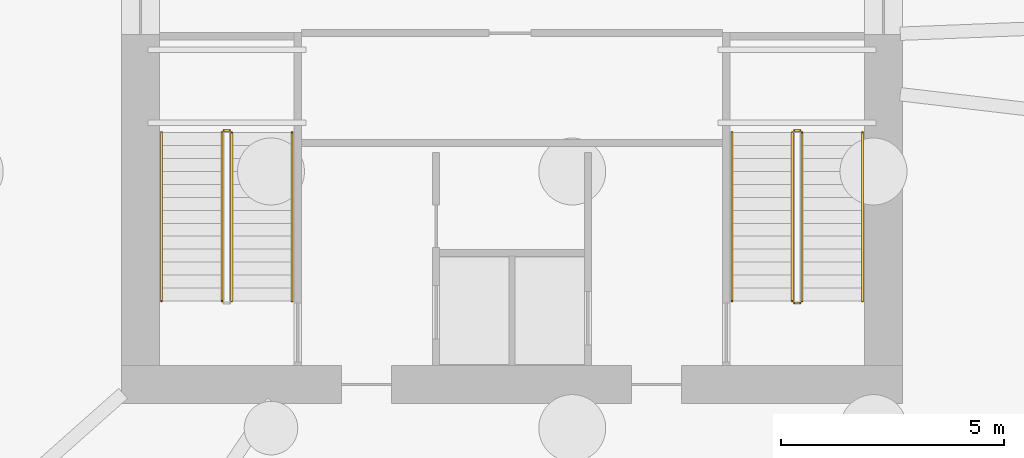
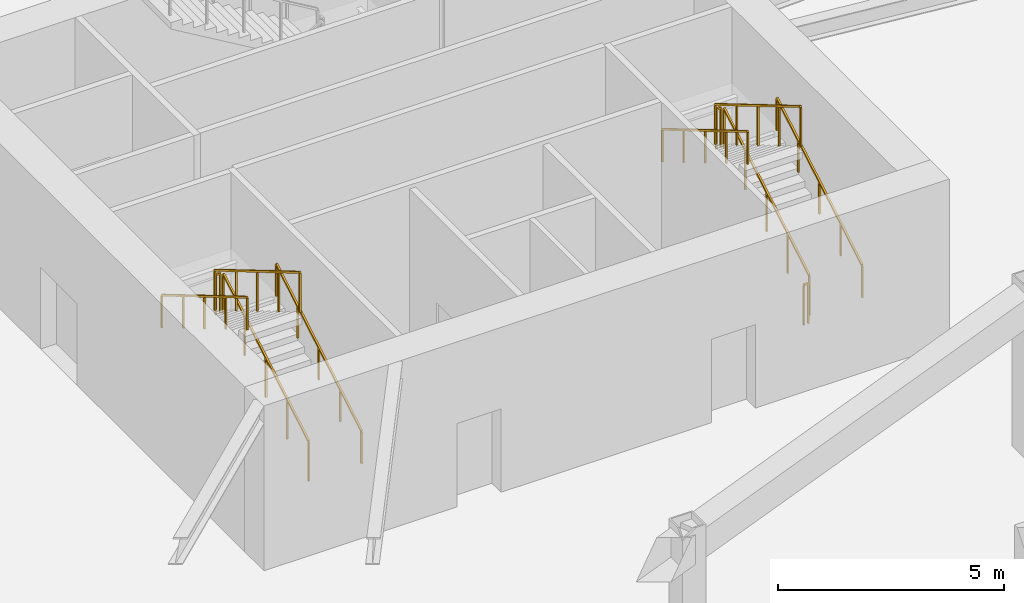
# One storey, part 7 of 9: 11 railings.
"""IFC4 building model written with IfcOpenShell, lengths in metres."""

from ifc_helpers import new_model, si_unit, direction, frame, origin, origin_2d, place, context, subcontext, project, spatial, rectangle, extrude, material, type_object, element, save


model = new_model("IFC4")

# Units and contexts
model_context = context("Model", 3, precision=1e-05, world=origin(), true_north=direction((0.0, 1.0)))
body_context = subcontext(model_context, "Body", "Model", "MODEL_VIEW")
ifc_project = project(units=[si_unit("LENGTHUNIT", "METRE"), si_unit("AREAUNIT", "SQUARE_METRE"), si_unit("VOLUMEUNIT", "CUBIC_METRE"), si_unit("PLANEANGLEUNIT", "RADIAN"), si_unit("MASSUNIT", "GRAM", prefix="KILO")], contexts=[model_context])

# Site, building, storey
site_placement = place(None, origin())
site = spatial("IfcSite", under=ifc_project, at=site_placement, CompositionType="ELEMENT")
building_placement = place(site_placement, origin())
building = spatial("IfcBuilding", under=site, at=building_placement, Name="Olszyna Solenne Hotel", CompositionType="ELEMENT")
storey_placement = place(building_placement, frame((0.0, 0.0, -9.60009765625)))
storey = spatial("IfcBuildingStorey", under=building, at=storey_placement, Name="B02", CompositionType="ELEMENT", Elevation=-9.60009765625)

# Railings
ifc_material_1 = material(Name="Anodised bronze aluminium", Category="aluminium")
railing_type_1 = type_object("IfcRailingType", Name="GR-110", PredefinedType="BALUSTRADE", material=ifc_material_1)
railing_1_placement = place(storey_placement, frame((31.719970703125, 20.949951171875, 0.171630859375)))
element("IfcRailing", 1, at=railing_1_placement, inside=storey, type_object=railing_type_1, Name="B02 ST1 stair guard 1", PredefinedType="BALUSTRADE", context=body_context, shape_type="SweptSolid", body=[
    extrude(rectangle(XDim=0.048095703125, YDim=0.048095703125, at=origin_2d()), frame((0.0, 0.0, 1.076171875), z_axis=(0.0, 0.860848830602, 0.508860777473), x_axis=(-1.0, 0.0, 0.0)), (0.0, 0.0, 1.0), 4.37939453125),
    extrude(rectangle(XDim=0.0419921875, YDim=0.0419921875, at=origin_2d()), origin(), (0.0, 0.0, 1.0), 1.052001953125),
    extrude(rectangle(XDim=0.0419921875, YDim=0.0419921875, at=origin_2d()), frame((0.0, 0.9423828125, 0.55712890625)), (0.0, 0.0, 1.0), 1.052001953125),
    extrude(rectangle(XDim=0.0419921875, YDim=0.0419921875, at=origin_2d()), frame((0.0, 1.885009765625, 1.1142578125)), (0.0, 0.0, 1.0), 1.052001953125),
    extrude(rectangle(XDim=0.0419921875, YDim=0.0419921875, at=origin_2d()), frame((0.0, 2.82763671875, 1.67138671875)), (0.0, 0.0, 1.0), 1.052001953125),
    extrude(rectangle(XDim=0.0419921875, YDim=0.0419921875, at=origin_2d()), frame((0.0, 3.77001953125, 2.228515625)), (0.0, 0.0, 1.0), 1.052001953125),
])
railing_2_placement = place(storey_placement, frame((31.669921875, 24.77001953125, 2.400146484375)))
element("IfcRailing", 2, at=railing_2_placement, inside=storey, type_object=railing_type_1, Name="B02 ST1 stair guard 2", PredefinedType="BALUSTRADE", context=body_context, shape_type="SweptSolid", body=[
    extrude(rectangle(XDim=0.048095703125, YDim=0.048095703125, at=origin_2d()), frame((0.0, 0.0, 1.076171875), z_axis=(-1.0, 0.0, 0.0), x_axis=(0.0, -1.0, 0.0)), (0.0, 0.0, 1.0), 0.119873046875),
    extrude(rectangle(XDim=0.0419921875, YDim=0.0419921875, at=origin_2d()), origin(), (0.0, 0.0, 1.0), 1.052001953125),
    extrude(rectangle(XDim=0.0419921875, YDim=0.0419921875, at=origin_2d()), frame((-0.119873046875, 0.0, 0.0)), (0.0, 0.0, 1.0), 1.052001953125),
])
railing_3_placement = place(storey_placement, frame((31.5, 24.719970703125, 2.571533203125)))
element("IfcRailing", 3, at=railing_3_placement, inside=storey, type_object=railing_type_1, Name="B02 ST1 stair guard 3", PredefinedType="BALUSTRADE", context=body_context, shape_type="SweptSolid", body=[
    extrude(rectangle(XDim=0.048095703125, YDim=0.048095703125, at=origin_2d()), frame((0.0, 0.0, 1.076171875), z_axis=(0.0, -0.860848830602, 0.508860777473), x_axis=(1.0, 0.0, 0.0)), (0.0, 0.0, 1.0), 4.37939453125),
    extrude(rectangle(XDim=0.0419921875, YDim=0.0419921875, at=origin_2d()), origin(), (0.0, 0.0, 1.0), 1.052001953125),
    extrude(rectangle(XDim=0.0419921875, YDim=0.0419921875, at=origin_2d()), frame((0.0, -0.9423828125, 0.55712890625)), (0.0, 0.0, 1.0), 1.052001953125),
    extrude(rectangle(XDim=0.0419921875, YDim=0.0419921875, at=origin_2d()), frame((0.0, -1.885009765625, 1.1142578125)), (0.0, 0.0, 1.0), 1.052001953125),
    extrude(rectangle(XDim=0.0419921875, YDim=0.0419921875, at=origin_2d()), frame((0.0, -2.82763671875, 1.67138671875)), (0.0, 0.0, 1.0), 1.052001953125),
    extrude(rectangle(XDim=0.0419921875, YDim=0.0419921875, at=origin_2d()), frame((0.0, -3.77001953125, 2.228515625)), (0.0, 0.0, 1.0), 1.052001953125),
])
railing_4_placement = place(storey_placement, frame((44.5, 20.949951171875, 0.171630859375)))
element("IfcRailing", 4, at=railing_4_placement, inside=storey, type_object=railing_type_1, Name="B02 ST2 stair guard 1", PredefinedType="BALUSTRADE", context=body_context, shape_type="SweptSolid", body=[
    extrude(rectangle(XDim=0.048095703125, YDim=0.048095703125, at=origin_2d()), frame((0.0, 0.0, 1.076171875), z_axis=(0.0, 0.860848830602, 0.508860777473), x_axis=(-1.0, 0.0, 0.0)), (0.0, 0.0, 1.0), 4.37939453125),
    extrude(rectangle(XDim=0.0419921875, YDim=0.0419921875, at=origin_2d()), origin(), (0.0, 0.0, 1.0), 1.052001953125),
    extrude(rectangle(XDim=0.0419921875, YDim=0.0419921875, at=origin_2d()), frame((0.0, 0.9423828125, 0.55712890625)), (0.0, 0.0, 1.0), 1.052001953125),
    extrude(rectangle(XDim=0.0419921875, YDim=0.0419921875, at=origin_2d()), frame((0.0, 1.885009765625, 1.1142578125)), (0.0, 0.0, 1.0), 1.052001953125),
    extrude(rectangle(XDim=0.0419921875, YDim=0.0419921875, at=origin_2d()), frame((0.0, 2.82763671875, 1.67138671875)), (0.0, 0.0, 1.0), 1.052001953125),
    extrude(rectangle(XDim=0.0419921875, YDim=0.0419921875, at=origin_2d()), frame((0.0, 3.77001953125, 2.228515625)), (0.0, 0.0, 1.0), 1.052001953125),
])
railing_5_placement = place(storey_placement, frame((44.449951171875, 24.77001953125, 2.400146484375)))
element("IfcRailing", 5, at=railing_5_placement, inside=storey, type_object=railing_type_1, Name="B02 ST2 stair guard 2", PredefinedType="BALUSTRADE", context=body_context, shape_type="SweptSolid", body=[
    extrude(rectangle(XDim=0.048095703125, YDim=0.048095703125, at=origin_2d()), frame((0.0, 0.0, 1.076171875), z_axis=(-1.0, 0.0, 0.0), x_axis=(0.0, -1.0, 0.0)), (0.0, 0.0, 1.0), 0.119873046875),
    extrude(rectangle(XDim=0.0419921875, YDim=0.0419921875, at=origin_2d()), origin(), (0.0, 0.0, 1.0), 1.052001953125),
    extrude(rectangle(XDim=0.0419921875, YDim=0.0419921875, at=origin_2d()), frame((-0.119873046875, 0.0, 0.0)), (0.0, 0.0, 1.0), 1.052001953125),
])
railing_6_placement = place(storey_placement, frame((44.280029296875, 24.719970703125, 2.571533203125)))
element("IfcRailing", 6, at=railing_6_placement, inside=storey, type_object=railing_type_1, Name="B02 ST2 stair guard 3", PredefinedType="BALUSTRADE", context=body_context, shape_type="SweptSolid", body=[
    extrude(rectangle(XDim=0.048095703125, YDim=0.048095703125, at=origin_2d()), frame((0.0, 0.0, 1.076171875), z_axis=(0.0, -0.860848830602, 0.508860777473), x_axis=(1.0, 0.0, 0.0)), (0.0, 0.0, 1.0), 4.37939453125),
    extrude(rectangle(XDim=0.0419921875, YDim=0.0419921875, at=origin_2d()), origin(), (0.0, 0.0, 1.0), 1.052001953125),
    extrude(rectangle(XDim=0.0419921875, YDim=0.0419921875, at=origin_2d()), frame((0.0, -0.9423828125, 0.55712890625)), (0.0, 0.0, 1.0), 1.052001953125),
    extrude(rectangle(XDim=0.0419921875, YDim=0.0419921875, at=origin_2d()), frame((0.0, -1.885009765625, 1.1142578125)), (0.0, 0.0, 1.0), 1.052001953125),
    extrude(rectangle(XDim=0.0419921875, YDim=0.0419921875, at=origin_2d()), frame((0.0, -2.82763671875, 1.67138671875)), (0.0, 0.0, 1.0), 1.052001953125),
    extrude(rectangle(XDim=0.0419921875, YDim=0.0419921875, at=origin_2d()), frame((0.0, -3.77001953125, 2.228515625)), (0.0, 0.0, 1.0), 1.052001953125),
])
railing_7_placement = place(storey_placement, frame((44.449951171875, 20.89990234375, 0.0)))
element("IfcRailing", 7, at=railing_7_placement, inside=storey, type_object=railing_type_1, Name="B02 ST2 stair guard 4", PredefinedType="BALUSTRADE", context=body_context, shape_type="SweptSolid", body=[
    extrude(rectangle(XDim=0.048095703125, YDim=0.048095703125, at=origin_2d()), frame((0.0, 0.0, 1.076171875), z_axis=(-1.0, 0.0, 0.0), x_axis=(0.0, -1.0, 0.0)), (0.0, 0.0, 1.0), 0.119873046875),
    extrude(rectangle(XDim=0.0419921875, YDim=0.0419921875, at=origin_2d()), origin(), (0.0, 0.0, 1.0), 1.052001953125),
    extrude(rectangle(XDim=0.0419921875, YDim=0.0419921875, at=origin_2d()), frame((-0.119873046875, 0.0, 0.0)), (0.0, 0.0, 1.0), 1.052001953125),
])
ifc_material_2 = material(Name="Steel S355J2", Category="steel")
railing_type_2 = type_object("IfcRailingType", Name="HR-090", PredefinedType="HANDRAIL", material=ifc_material_2)
railing_8_placement = place(storey_placement, frame((33.070068359375, 20.949951171875, 0.171630859375)))
element("IfcRailing", 8, at=railing_8_placement, inside=storey, type_object=railing_type_2, Name="B02 ST1 stair handrail 1", PredefinedType="HANDRAIL", context=body_context, shape_type="SweptSolid", body=[
    extrude(rectangle(XDim=0.048095703125, YDim=0.048095703125, at=origin_2d()), frame((0.0, 0.0, 0.8759765625), z_axis=(0.0, 0.860848830602, 0.508860777473), x_axis=(-1.0, 0.0, 0.0)), (0.0, 0.0, 1.0), 4.37939453125),
    extrude(rectangle(XDim=0.0419921875, YDim=0.0419921875, at=origin_2d()), origin(), (0.0, 0.0, 1.0), 0.851806640625),
    extrude(rectangle(XDim=0.0419921875, YDim=0.0419921875, at=origin_2d()), frame((0.0, 0.9423828125, 0.55712890625)), (0.0, 0.0, 1.0), 0.851806640625),
    extrude(rectangle(XDim=0.0419921875, YDim=0.0419921875, at=origin_2d()), frame((0.0, 1.885009765625, 1.1142578125)), (0.0, 0.0, 1.0), 0.851806640625),
    extrude(rectangle(XDim=0.0419921875, YDim=0.0419921875, at=origin_2d()), frame((0.0, 2.82763671875, 1.67138671875)), (0.0, 0.0, 1.0), 0.851806640625),
    extrude(rectangle(XDim=0.0419921875, YDim=0.0419921875, at=origin_2d()), frame((0.0, 3.77001953125, 2.228515625)), (0.0, 0.0, 1.0), 0.851806640625),
])
railing_9_placement = place(storey_placement, frame((30.14990234375, 24.719970703125, 2.571533203125)))
element("IfcRailing", 9, at=railing_9_placement, inside=storey, type_object=railing_type_2, Name="B02 ST1 stair handrail 2", PredefinedType="HANDRAIL", context=body_context, shape_type="SweptSolid", body=[
    extrude(rectangle(XDim=0.048095703125, YDim=0.048095703125, at=origin_2d()), frame((0.0, 0.0, 0.8759765625), z_axis=(0.0, -0.860848830602, 0.508860777473), x_axis=(1.0, 0.0, 0.0)), (0.0, 0.0, 1.0), 4.37939453125),
    extrude(rectangle(XDim=0.0419921875, YDim=0.0419921875, at=origin_2d()), origin(), (0.0, 0.0, 1.0), 0.851806640625),
    extrude(rectangle(XDim=0.0419921875, YDim=0.0419921875, at=origin_2d()), frame((0.0, -0.9423828125, 0.55712890625)), (0.0, 0.0, 1.0), 0.851806640625),
    extrude(rectangle(XDim=0.0419921875, YDim=0.0419921875, at=origin_2d()), frame((0.0, -1.885009765625, 1.1142578125)), (0.0, 0.0, 1.0), 0.851806640625),
    extrude(rectangle(XDim=0.0419921875, YDim=0.0419921875, at=origin_2d()), frame((0.0, -2.82763671875, 1.67138671875)), (0.0, 0.0, 1.0), 0.851806640625),
    extrude(rectangle(XDim=0.0419921875, YDim=0.0419921875, at=origin_2d()), frame((0.0, -3.77001953125, 2.228515625)), (0.0, 0.0, 1.0), 0.851806640625),
])
railing_10_placement = place(storey_placement, frame((45.85009765625, 20.949951171875, 0.171630859375)))
element("IfcRailing", 10, at=railing_10_placement, inside=storey, type_object=railing_type_2, Name="B02 ST2 stair handrail 1", PredefinedType="HANDRAIL", context=body_context, shape_type="SweptSolid", body=[
    extrude(rectangle(XDim=0.048095703125, YDim=0.048095703125, at=origin_2d()), frame((0.0, 0.0, 0.8759765625), z_axis=(0.0, 0.860848830602, 0.508860777473), x_axis=(-1.0, 0.0, 0.0)), (0.0, 0.0, 1.0), 4.37939453125),
    extrude(rectangle(XDim=0.0419921875, YDim=0.0419921875, at=origin_2d()), origin(), (0.0, 0.0, 1.0), 0.851806640625),
    extrude(rectangle(XDim=0.0419921875, YDim=0.0419921875, at=origin_2d()), frame((0.0, 0.9423828125, 0.55712890625)), (0.0, 0.0, 1.0), 0.851806640625),
    extrude(rectangle(XDim=0.0419921875, YDim=0.0419921875, at=origin_2d()), frame((0.0, 1.885009765625, 1.1142578125)), (0.0, 0.0, 1.0), 0.851806640625),
    extrude(rectangle(XDim=0.0419921875, YDim=0.0419921875, at=origin_2d()), frame((0.0, 2.82763671875, 1.67138671875)), (0.0, 0.0, 1.0), 0.851806640625),
    extrude(rectangle(XDim=0.0419921875, YDim=0.0419921875, at=origin_2d()), frame((0.0, 3.77001953125, 2.228515625)), (0.0, 0.0, 1.0), 0.851806640625),
])
railing_11_placement = place(storey_placement, frame((42.929931640625, 24.719970703125, 2.571533203125)))
element("IfcRailing", 11, at=railing_11_placement, inside=storey, type_object=railing_type_2, Name="B02 ST2 stair handrail 2", PredefinedType="HANDRAIL", context=body_context, shape_type="SweptSolid", body=[
    extrude(rectangle(XDim=0.048095703125, YDim=0.048095703125, at=origin_2d()), frame((0.0, 0.0, 0.8759765625), z_axis=(0.0, -0.860848830602, 0.508860777473), x_axis=(1.0, 0.0, 0.0)), (0.0, 0.0, 1.0), 4.37939453125),
    extrude(rectangle(XDim=0.0419921875, YDim=0.0419921875, at=origin_2d()), origin(), (0.0, 0.0, 1.0), 0.851806640625),
    extrude(rectangle(XDim=0.0419921875, YDim=0.0419921875, at=origin_2d()), frame((0.0, -0.9423828125, 0.55712890625)), (0.0, 0.0, 1.0), 0.851806640625),
    extrude(rectangle(XDim=0.0419921875, YDim=0.0419921875, at=origin_2d()), frame((0.0, -1.885009765625, 1.1142578125)), (0.0, 0.0, 1.0), 0.851806640625),
    extrude(rectangle(XDim=0.0419921875, YDim=0.0419921875, at=origin_2d()), frame((0.0, -2.82763671875, 1.67138671875)), (0.0, 0.0, 1.0), 0.851806640625),
    extrude(rectangle(XDim=0.0419921875, YDim=0.0419921875, at=origin_2d()), frame((0.0, -3.77001953125, 2.228515625)), (0.0, 0.0, 1.0), 0.851806640625),
])

save(model, "model.ifc")
